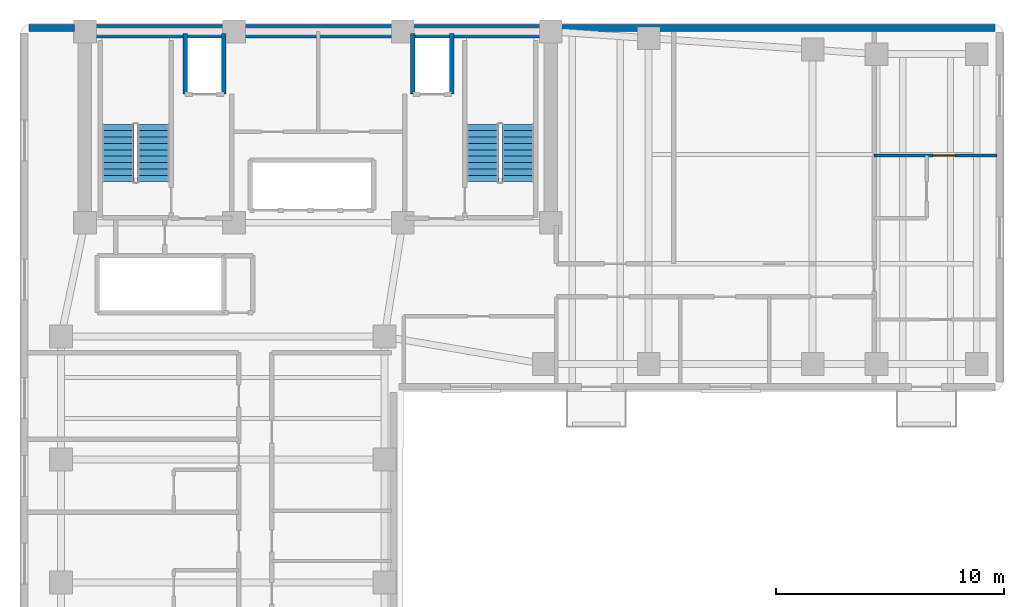
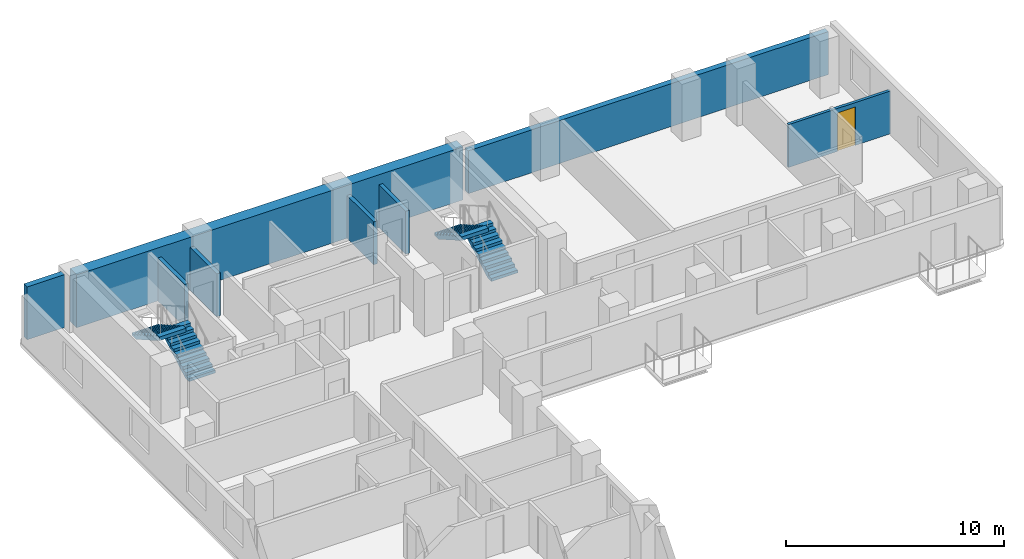
# One storey, part 5 of 7: 8 walls, 4 stair flights, 1 door, 1 opening, 2 elements without a shape of their own.
"""IFC4 building model written with IfcOpenShell, lengths in metres."""

from ifc_helpers import new_model, si_unit, direction, frame, frame_2d, origin, place, context, subcontext, project, spatial, polyline, rectangle, outline, extrude, material, layer, layer_set, type_object, element, fill, aggregate, save


model = new_model("IFC4")

# Units and contexts
model_context = context("Model", 3, precision=1e-05, world=origin(), true_north=direction((0.0, 1.0)))
body_context = subcontext(model_context, "Body", "Model", "MODEL_VIEW")
ifc_project = project(units=[si_unit("LENGTHUNIT", "METRE"), si_unit("AREAUNIT", "SQUARE_METRE"), si_unit("VOLUMEUNIT", "CUBIC_METRE"), si_unit("PLANEANGLEUNIT", "RADIAN"), si_unit("MASSUNIT", "GRAM", prefix="KILO")], contexts=[model_context])

# Site, building, storey
site_placement = place(None, origin())
site = spatial("IfcSite", under=ifc_project, at=site_placement, CompositionType="ELEMENT")
building_placement = place(site_placement, origin())
building = spatial("IfcBuilding", under=site, at=building_placement, Name="Kuzgunbayir Cultural Tower", CompositionType="ELEMENT")
storey_placement = place(building_placement, frame((0.0, 0.0, 149.0)))
storey = spatial("IfcBuildingStorey", under=building, at=storey_placement, Name="L43", CompositionType="ELEMENT", Elevation=149.0)

# Walls
ifc_material_1 = material(Name="Concrete C60/75", Category="concrete")
ifc_layer_1 = layer(ifc_material_1, 0.60009765625)
ifc_layer_set_1 = layer_set([ifc_layer_1], Name="Concrete C60/75")
wall_type_1 = type_object("IfcWallType", Name="WAL-CORE-600", PredefinedType="SHEAR", material=ifc_layer_set_1)
wall_1_placement = place(storey_placement, frame((6.449951171875, 42.199951171875, 0.0), z_axis=(0.0, 0.0, 1.0), x_axis=(1.0, 0.0, 0.0)))
element("IfcWall", 1, at=wall_1_placement, inside=storey, type_object=wall_type_1, Name="L43 T1 Core North Shear Wall", PredefinedType="SHEAR", context=body_context, shape_type="SweptSolid", body=[
    extrude(rectangle(XDim=20.449951171875, YDim=0.60009765625, at=frame_2d((10.22509765625, 0.0))), origin(), (0.0, 0.0, 1.0), 2.9599609375),
])
ifc_material_2 = material(Name="Anatolian Cream Limestone", Category="masonry")
ifc_layer_2 = layer(ifc_material_2, 0.300048828125)
ifc_layer_set_2 = layer_set([ifc_layer_2], Name="Anatolian Cream Limestone")
wall_type_2 = type_object("IfcWallType", Name="WAL-EXT-STONE-300", PredefinedType="STANDARD", material=ifc_layer_set_2)
wall_2_placement = place(storey_placement, frame((46.39990234375, 42.35009765625, 0.0), z_axis=(0.0, 0.0, 1.0), x_axis=(-1.0, 0.0, 0.0)))
element("IfcWall", 2, at=wall_2_placement, inside=storey, type_object=wall_type_2, Name="L43 North Wing B Limestone Wall", PredefinedType="STANDARD", context=body_context, shape_type="SweptSolid", body=[
    extrude(rectangle(XDim=19.0498046875, YDim=0.300048828125, at=frame_2d((9.52490234375, 0.0))), origin(), (0.0, 0.0, 1.0), 2.39990234375),
])
wall_3_placement = place(storey_placement, frame((6.0, 42.35009765625, 0.0), z_axis=(0.0, 0.0, 1.0), x_axis=(-1.0, 0.0, 0.0)))
element("IfcWall", 3, at=wall_3_placement, inside=storey, type_object=wall_type_2, Name="L43 Core North-West Spandrel Link", PredefinedType="STANDARD", context=body_context, shape_type="SweptSolid", body=[
    extrude(rectangle(XDim=2.0, YDim=0.300048828125, at=frame_2d((1.0, 0.0))), origin(), (0.0, 0.0, 1.0), 2.9599609375),
])

# Wall, opening, door
ifc_material_3 = material(Name="Acoustic Double-Stud Drywall", Category="gypsum")
ifc_layer_3 = layer(ifc_material_3, 0.14990234375)
ifc_layer_set_3 = layer_set([ifc_layer_3], Name="Acoustic Double-Stud Drywall")
wall_type_3 = type_object("IfcWallType", Name="WAL-PART-ACOUSTIC-150", PredefinedType="PARTITIONING", material=ifc_layer_set_3)
wall_4_placement = place(storey_placement, frame((41.10009765625, 36.75, 0.0), z_axis=(0.0, 0.0, 1.0), x_axis=(1.0, 0.0, 0.0)))
wall_4 = element("IfcWall", 4, at=wall_4_placement, inside=storey, type_object=wall_type_3, Name="L43 Corner Suite Bedroom Wall", PredefinedType="PARTITIONING", context=body_context, shape_type="SweptSolid", body=[
    extrude(rectangle(XDim=5.39990234375, YDim=0.14990234375, at=frame_2d((2.699951171875, 0.0))), origin(), (0.0, 0.0, 1.0), 2.39990234375),
])
opening_placement = place(wall_4_placement, frame((2.590087890625, 0.0, 0.0)))
opening = element("IfcOpeningElement", 5, at=opening_placement, cuts=wall_4, Name="Opening DI-90", PredefinedType="OPENING", context=body_context, shape_type="SweptSolid", body=[
    extrude(rectangle(XDim=0.949951171875, YDim=2.14990234375, at=frame_2d((0.47509765625, 1.074951171875))), frame((0.0, 0.0849609375, 0.0), z_axis=(0.0, -1.0, 0.0), x_axis=(1.0, 0.0, 0.0)), (0.0, 0.0, 1.0), 0.169921875),
])
ifc_material_4 = material(Name="Veneered Oak Single Leaf", Category="wood")
door_type = type_object("IfcDoorType", Name="DR-INT-90", OperationType="NOTDEFINED", PredefinedType="DOOR", material=ifc_material_4)
door_placement = place(opening_placement, origin())
door = element("IfcDoor", 6, at=door_placement, inside=storey, type_object=door_type, Name="L43 Corner Bedroom Door", OperationType="SINGLE_SWING_RIGHT", OverallHeight=2.14990234375, OverallWidth=0.949951171875, PredefinedType="DOOR", context=body_context, shape_type="SweptSolid", body=[
    extrude(rectangle(XDim=0.949951171875, YDim=2.14990234375, at=frame_2d((0.47509765625, 1.074951171875))), frame((0.0, 0.02490234375, 0.0), z_axis=(0.0, -1.0, 0.0), x_axis=(1.0, 0.0, 0.0)), (0.0, 0.0, 1.0), 0.050048828125),
])
fill(opening, door)

# Walls
ifc_material_5 = material(Name="Concrete C40/50", Category="concrete")
ifc_layer_4 = layer(ifc_material_5, 0.199951171875)
ifc_layer_set_4 = layer_set([ifc_layer_4], Name="Concrete C40/50")
wall_type_4 = type_object("IfcWallType", Name="WAL-SHAFT-200", PredefinedType="MOVABLE", material=ifc_layer_set_4)
for number, where, z_axis, x_axis, name in (
    (7, (10.85009765625, 39.449951171875, 0.0), (0.0, 0.0, 1.0), (0.0, 1.0, 0.0), "L43 FFL-1 Shaft West Wall"),
    (8, (12.550048828125, 39.449951171875, 0.0), (0.0, 0.0, 1.0), (0.0, 1.0, 0.0), "L43 FFL-1 Shaft East Wall"),
    (9, (20.85009765625, 39.449951171875, 0.0), (0.0, 0.0, 1.0), (0.0, 1.0, 0.0), "L43 FFL-2 Shaft West Wall"),
    (10, (22.550048828125, 39.449951171875, 0.0), (0.0, 0.0, 1.0), (0.0, 1.0, 0.0), "L43 FFL-2 Shaft East Wall"),
):
    element("IfcWall", number, at=place(storey_placement, frame(where, z_axis=z_axis, x_axis=x_axis)), inside=storey, type_object=wall_type_4, Name=name, PredefinedType="MOVABLE", context=body_context, shape_type="SweptSolid", body=[
        extrude(rectangle(XDim=2.650146484375, YDim=0.199951171875, at=frame_2d((1.3251953125, 0.0))), origin(), (0.0, 0.0, 1.0), 2.39990234375),
    ])

# Stair, stair flights
stair_type = type_object("IfcStairType", Name="STR-EXIT-CORE", PredefinedType="HALF_TURN_STAIR", material=ifc_material_5)
stair_1_placement = place(storey_placement, origin())
stair_1 = element("IfcStair", 11, at=stair_1_placement, inside=storey, type_object=stair_type, Name="L43 ST-1", PredefinedType="HALF_TURN_STAIR")
stair_flight_type = type_object("IfcStairFlightType", Name="STRF-RC-140", PredefinedType="STRAIGHT", material=ifc_material_5)
stair_flight_1_placement = place(storey_placement, frame((9.4599609375, 35.60009765625, 0.0), z_axis=(0.0, 0.0, 1.0), x_axis=(0.0, 1.0, 0.0)))
stair_flight_1 = element("IfcStairFlight", 12, at=stair_flight_1_placement, type_object=stair_flight_type, Name="ST-1 flight 1", NumberOfRisers=10, NumberOfTreads=9, PredefinedType="STRAIGHT", RiserHeight=0.16, TreadLength=0.28, context=body_context, shape_type="SweptSolid", body=[
    extrude(outline(polyline([(0.0, 0.0), (0.0, 0.159912109375), (0.280029296875, 0.159912109375), (0.280029296875, 0.320068359375), (0.56005859375, 0.320068359375), (0.56005859375, 0.47998046875), (0.840087890625, 0.47998046875), (0.840087890625, 0.639892578125), (1.1201171875, 0.639892578125), (1.1201171875, 0.800048828125), (1.39990234375, 0.800048828125), (1.39990234375, 0.9599609375), (1.679931640625, 0.9599609375), (1.679931640625, 1.1201171875), (1.9599609375, 1.1201171875), (1.9599609375, 1.280029296875), (2.239990234375, 1.280029296875), (2.239990234375, 1.43994140625), (2.52001953125, 1.43994140625), (2.52001953125, 1.60009765625), (2.52001953125, 1.232666015625), (0.362548828125, 0.0), (0.0, 0.0)])), frame((0.0, 0.699951171875, 0.0), z_axis=(0.0, -1.0, 0.0), x_axis=(1.0, 0.0, 0.0)), (0.0, 0.0, 1.0), 1.39990234375),
])
stair_flight_2_placement = place(storey_placement, frame((7.89990234375, 38.1201171875, 1.60009765625), z_axis=(0.0, 0.0, 1.0), x_axis=(0.0, -1.0, 0.0)))
stair_flight_2 = element("IfcStairFlight", 13, at=stair_flight_2_placement, type_object=stair_flight_type, Name="ST-1 flight 2", NumberOfRisers=10, NumberOfTreads=9, PredefinedType="STRAIGHT", RiserHeight=0.16, TreadLength=0.28, context=body_context, shape_type="SweptSolid", body=[
    extrude(outline(polyline([(0.0, 0.0), (0.0, 0.159912109375), (0.280029296875, 0.159912109375), (0.280029296875, 0.320068359375), (0.56005859375, 0.320068359375), (0.56005859375, 0.47998046875), (0.840087890625, 0.47998046875), (0.840087890625, 0.639892578125), (1.1201171875, 0.639892578125), (1.1201171875, 0.800048828125), (1.39990234375, 0.800048828125), (1.39990234375, 0.9599609375), (1.679931640625, 0.9599609375), (1.679931640625, 1.1201171875), (1.9599609375, 1.1201171875), (1.9599609375, 1.280029296875), (2.239990234375, 1.280029296875), (2.239990234375, 1.43994140625), (2.52001953125, 1.43994140625), (2.52001953125, 1.60009765625), (2.52001953125, 1.232666015625), (0.362548828125, 0.0), (0.0, 0.0)])), frame((0.0, 0.699951171875, 0.0), z_axis=(0.0, -1.0, 0.0), x_axis=(1.0, 0.0, 0.0)), (0.0, 0.0, 1.0), 1.39990234375),
])
aggregate(stair_1, [stair_flight_1, stair_flight_2])

stair_2_placement = place(storey_placement, origin())
stair_2 = element("IfcStair", 14, at=stair_2_placement, inside=storey, type_object=stair_type, Name="L43 ST-2", PredefinedType="HALF_TURN_STAIR")
stair_flight_3_placement = place(storey_placement, frame((25.4599609375, 35.60009765625, 0.0), z_axis=(0.0, 0.0, 1.0), x_axis=(0.0, 1.0, 0.0)))
stair_flight_3 = element("IfcStairFlight", 15, at=stair_flight_3_placement, type_object=stair_flight_type, Name="ST-2 flight 1", NumberOfRisers=10, NumberOfTreads=9, PredefinedType="STRAIGHT", RiserHeight=0.16, TreadLength=0.28, context=body_context, shape_type="SweptSolid", body=[
    extrude(outline(polyline([(0.0, 0.0), (0.0, 0.159912109375), (0.280029296875, 0.159912109375), (0.280029296875, 0.320068359375), (0.56005859375, 0.320068359375), (0.56005859375, 0.47998046875), (0.840087890625, 0.47998046875), (0.840087890625, 0.639892578125), (1.1201171875, 0.639892578125), (1.1201171875, 0.800048828125), (1.39990234375, 0.800048828125), (1.39990234375, 0.9599609375), (1.679931640625, 0.9599609375), (1.679931640625, 1.1201171875), (1.9599609375, 1.1201171875), (1.9599609375, 1.280029296875), (2.239990234375, 1.280029296875), (2.239990234375, 1.43994140625), (2.52001953125, 1.43994140625), (2.52001953125, 1.60009765625), (2.52001953125, 1.232666015625), (0.362548828125, 0.0), (0.0, 0.0)])), frame((0.0, 0.699951171875, 0.0), z_axis=(0.0, -1.0, 0.0), x_axis=(1.0, 0.0, 0.0)), (0.0, 0.0, 1.0), 1.39990234375),
])
stair_flight_4_placement = place(storey_placement, frame((23.89990234375, 38.1201171875, 1.60009765625), z_axis=(0.0, 0.0, 1.0), x_axis=(0.0, -1.0, 0.0)))
stair_flight_4 = element("IfcStairFlight", 16, at=stair_flight_4_placement, type_object=stair_flight_type, Name="ST-2 flight 2", NumberOfRisers=10, NumberOfTreads=9, PredefinedType="STRAIGHT", RiserHeight=0.16, TreadLength=0.28, context=body_context, shape_type="SweptSolid", body=[
    extrude(outline(polyline([(0.0, 0.0), (0.0, 0.159912109375), (0.280029296875, 0.159912109375), (0.280029296875, 0.320068359375), (0.56005859375, 0.320068359375), (0.56005859375, 0.47998046875), (0.840087890625, 0.47998046875), (0.840087890625, 0.639892578125), (1.1201171875, 0.639892578125), (1.1201171875, 0.800048828125), (1.39990234375, 0.800048828125), (1.39990234375, 0.9599609375), (1.679931640625, 0.9599609375), (1.679931640625, 1.1201171875), (1.9599609375, 1.1201171875), (1.9599609375, 1.280029296875), (2.239990234375, 1.280029296875), (2.239990234375, 1.43994140625), (2.52001953125, 1.43994140625), (2.52001953125, 1.60009765625), (2.52001953125, 1.232666015625), (0.362548828125, 0.0), (0.0, 0.0)])), frame((0.0, 0.699951171875, 0.0), z_axis=(0.0, -1.0, 0.0), x_axis=(1.0, 0.0, 0.0)), (0.0, 0.0, 1.0), 1.39990234375),
])
aggregate(stair_2, [stair_flight_3, stair_flight_4])

save(model, "model.ifc")
